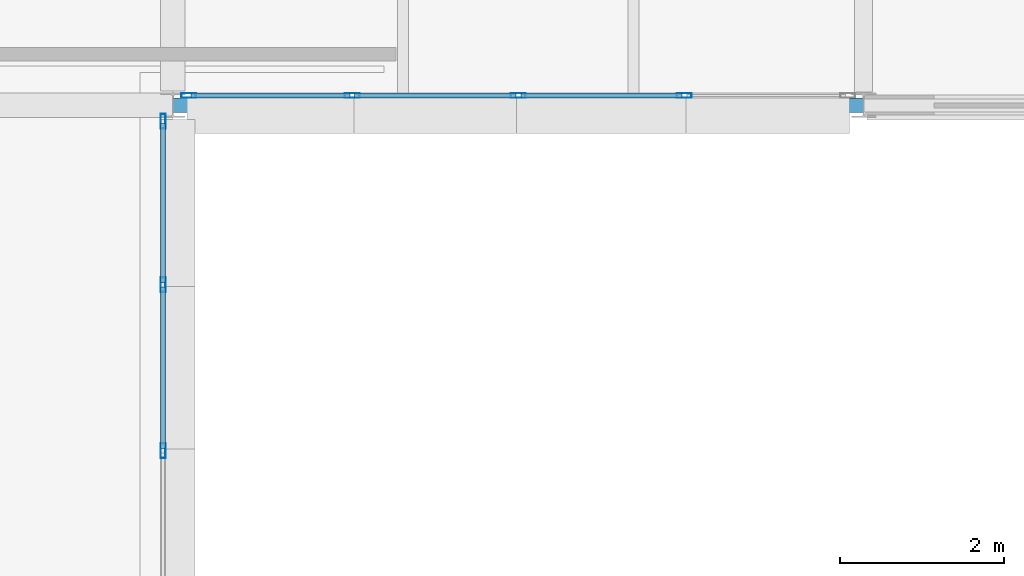
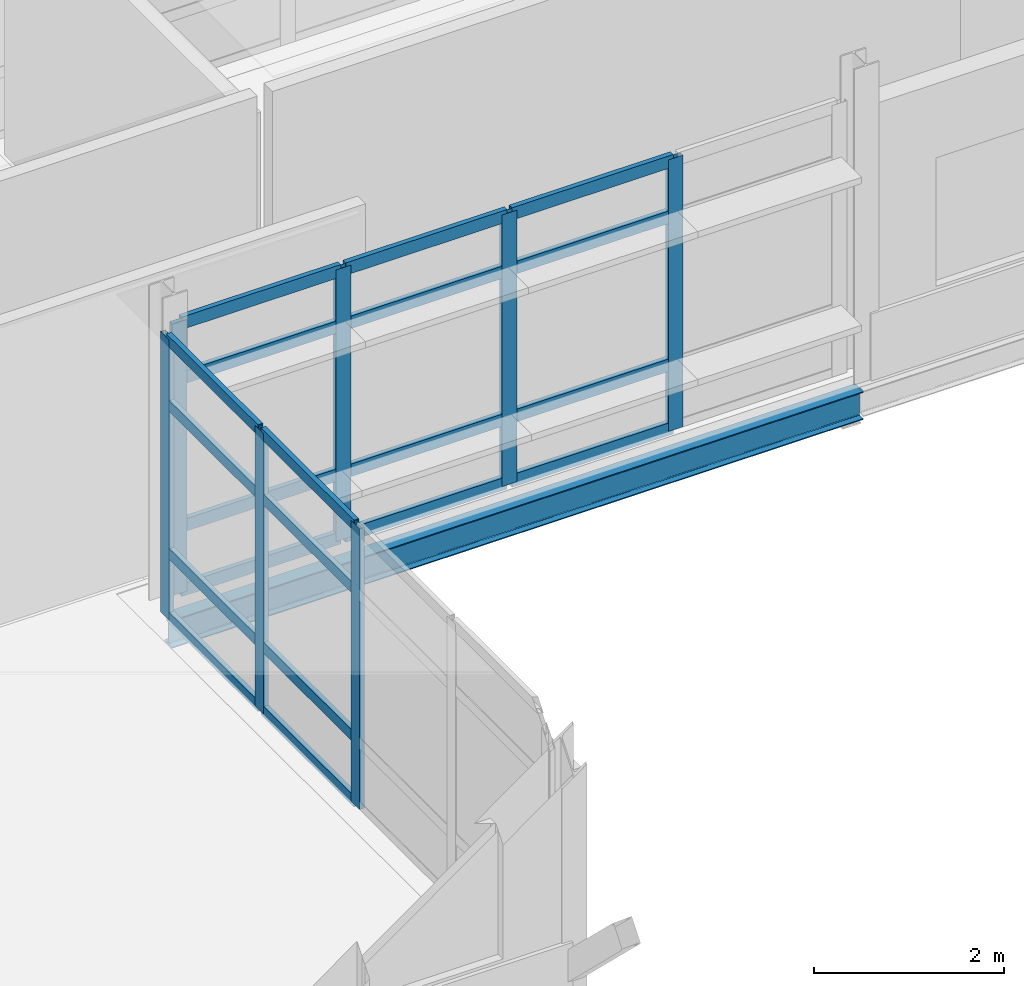
# One storey, part 15 of 57: 27 members, 1 beam, 2 elements without a shape of their own.
"""IFC4 building model written with IfcOpenShell, lengths in metres."""

import ifcopenshell
import ifcopenshell.guid

model = None  # the IFC model being written
_history = None  # IfcOwnerHistory: only IFC2X3 demands one
_inside = {}  # id of a spatial element -> (the spatial element, [elements in it])
_under = {}  # id of a project, library or spatial element -> (it, [spatial elements below it])
_declared = {}  # id of a project -> (the project, [libraries it declares])
_typed = {}  # id of a type object -> (the type object, [elements of that type])
_made_of = {}  # id of a material, layer set ... -> (it, [elements and type objects made of it])


def new_model(schema):
    """Start an empty IFC model of exactly this schema.

    Asked for "IFC4X3", IfcOpenShell would pick the latest addendum, in which some entities
    have other attributes; the version numbers below select the first issue.
    IFC2X3 requires an IfcOwnerHistory on every rooted entity: one is made here for all.
    """
    global model, _history
    if schema == "IFC4X3":
        model = ifcopenshell.file(schema_version=(4, 3, 0, 0))
    else:
        model = ifcopenshell.file(schema=schema)
    _inside.clear()
    _under.clear()
    _declared.clear()
    _typed.clear()
    _made_of.clear()
    _history = None
    if model.schema == "IFC2X3":
        org = make("IfcOrganization", Name="unknown")
        user = make(
            "IfcPersonAndOrganization",
            ThePerson=make("IfcPerson", FamilyName="unknown"),
            TheOrganization=org,
        )
        app = make(
            "IfcApplication",
            ApplicationDeveloper=org,
            Version="unknown",
            ApplicationFullName="unknown",
            ApplicationIdentifier="unknown",
        )
        _history = make(
            "IfcOwnerHistory",
            OwningUser=user,
            OwningApplication=app,
            ChangeAction="ADDED",
            CreationDate=0,
        )
    return model


def make(cls, **values):
    """One entity of the class cls with the attributes given. An attribute that is None is left unset."""
    return model.create_entity(
        cls, **{name: value for name, value in values.items() if value is not None}
    )


def rooted(cls, **values):
    """An entity with a GlobalId (a new one), such as an element, a storey or a relation."""
    return make(cls, GlobalId=ifcopenshell.guid.new(), OwnerHistory=_history, **values)


def si_unit(unit_type, name, prefix=None):
    """IfcSIUnit, for example si_unit("LENGTHUNIT", "METRE", prefix="MILLI")."""
    return make("IfcSIUnit", UnitType=unit_type, Prefix=prefix, Name=name)


def assignment(units):
    """IfcUnitAssignment: the units of a project."""
    return None if units is None else make("IfcUnitAssignment", Units=units)


def point(xyz):
    """IfcCartesianPoint."""
    return None if xyz is None else make("IfcCartesianPoint", Coordinates=xyz)


def direction(xyz):
    """IfcDirection."""
    return None if xyz is None else make("IfcDirection", DirectionRatios=xyz)


def frame(location, z_axis=None, x_axis=None):
    """IfcAxis2Placement3D, a coordinate frame: its origin and axes. An axis left out is left unset."""
    return make(
        "IfcAxis2Placement3D",
        Location=point(location),
        Axis=direction(z_axis),
        RefDirection=direction(x_axis),
    )


def frame_2d(location, x_axis=None):
    """IfcAxis2Placement2D, a coordinate frame in the plane: its origin and x axis."""
    return make(
        "IfcAxis2Placement2D", Location=point(location), RefDirection=direction(x_axis)
    )


def origin():
    """The frame at (0, 0, 0) with its axes left unset."""
    return frame((0.0, 0.0, 0.0))


def origin_2d():
    """The frame at (0, 0) in the plane with its x axis left unset."""
    return frame_2d((0.0, 0.0))


def place(relative_to, where):
    """IfcLocalPlacement: puts the frame where relative to a parent placement (None: the world)."""
    return make(
        "IfcLocalPlacement", PlacementRelTo=relative_to, RelativePlacement=where
    )


def context(
    kind, dimensions, precision=None, world=None, true_north=None, identifier=None
):
    """IfcGeometricRepresentationContext, for example the 3D "Model" context."""
    return make(
        "IfcGeometricRepresentationContext",
        ContextIdentifier=identifier,
        ContextType=kind,
        CoordinateSpaceDimension=dimensions,
        Precision=precision,
        WorldCoordinateSystem=world,
        TrueNorth=true_north,
    )


def subcontext(parent, identifier, kind, view, scale=None):
    """IfcGeometricRepresentationSubContext, for example "Body" below "Model"."""
    return make(
        "IfcGeometricRepresentationSubContext",
        ContextIdentifier=identifier,
        ContextType=kind,
        ParentContext=parent,
        TargetScale=scale,
        TargetView=view,
    )


def project(units=None, contexts=None):
    """IfcProject with its units and contexts."""
    return rooted(
        "IfcProject",
        Name="project",
        RepresentationContexts=contexts,
        UnitsInContext=assignment(units),
    )


def spatial(cls, under=None, at=None, **own):
    """A site, building, storey or space (cls), placed at a placement, below another one or the project."""
    s = rooted(cls, ObjectPlacement=at, **own)
    if under is not None:
        _under.setdefault(under.id(), (under, []))[1].append(s)
    return s


def profile(cls, at=None, kind="AREA", **sizes):
    """A parametric profile (cls). Its sizes go by their IFC names, for example OverallWidth=200.0."""
    return make(cls, ProfileType=kind, Position=at, **sizes)


def hollow_rectangle(**sizes):
    """IfcRectangleHollowProfileDef."""
    return profile("IfcRectangleHollowProfileDef", **sizes)


def i_section(**sizes):
    """IfcIShapeProfileDef."""
    return profile("IfcIShapeProfileDef", **sizes)


def extrude(swept, where, along, depth):
    """IfcExtrudedAreaSolid: the profile swept, set in the frame where, extruded along a direction by depth."""
    return make(
        "IfcExtrudedAreaSolid",
        SweptArea=swept,
        Position=where,
        ExtrudedDirection=direction(along),
        Depth=depth,
    )


def shape(context_of_items, identifier, shape_type, items):
    """IfcShapeRepresentation: the items that make up one representation, for example the "Body"."""
    return make(
        "IfcShapeRepresentation",
        ContextOfItems=context_of_items,
        RepresentationIdentifier=identifier,
        RepresentationType=shape_type,
        Items=items,
    )


def material(Name=None, Category=None):
    """IfcMaterial."""
    return make("IfcMaterial", Name=Name, Category=Category)


def material_profile(
    of_material, cross_section, Name=None, Category=None, Priority=None
):
    """IfcMaterialProfile: a cross section and its material."""
    return make(
        "IfcMaterialProfile",
        Name=Name,
        Material=of_material,
        Profile=cross_section,
        Priority=Priority,
        Category=Category,
    )


def profile_set(profiles, Name=None, composite=None):
    """IfcMaterialProfileSet."""
    return make(
        "IfcMaterialProfileSet",
        Name=Name,
        MaterialProfiles=profiles,
        CompositeProfile=composite,
    )


def made_of(thing, what):
    """Note that an element or type object is made of a material, layer set ...; save() writes the relation."""
    if what is not None:
        _made_of.setdefault(what.id(), (what, []))[1].append(thing)
    return thing


def type_object(cls, material=None, **own):
    """A type object (cls), such as IfcWallType, which elements share."""
    return made_of(rooted(cls, **own), material)


def element(
    cls,
    number,
    at=None,
    inside=None,
    cuts=None,
    type_object=None,
    material=None,
    context=None,
    identifier="Body",
    shape_type=None,
    held_by="IfcProductDefinitionShape",
    body=None,
    shapes=None,
    **own,
):
    """One element of the class cls, such as IfcWall. Its Tag is "e" and its number.

    at: its placement. inside: the storey or other place that contains it. cuts: it is an
    opening in that element (IfcRelVoidsElement). A single representation is given by context,
    identifier, shape_type and body (its items); several are given by shapes. held_by: the class
    of the entity that holds the representations. save() writes the other relations.
    """
    e = rooted(cls, Tag="e%d" % number, ObjectPlacement=at, **own)
    if body is not None:
        shapes = [shape(context, identifier, shape_type, body)]
    if shapes is not None:
        e.Representation = make(held_by, Representations=shapes)
    if inside is not None:
        _inside.setdefault(inside.id(), (inside, []))[1].append(e)
    if cuts is not None:
        rooted(
            "IfcRelVoidsElement", RelatingBuildingElement=cuts, RelatedOpeningElement=e
        )
    if type_object is not None:
        _typed.setdefault(type_object.id(), (type_object, []))[1].append(e)
    return made_of(e, material)


def aggregate(whole, parts):
    """IfcRelAggregates: a whole, such as a stair, and the parts it consists of."""
    return rooted("IfcRelAggregates", RelatingObject=whole, RelatedObjects=parts)


def save(model, path):
    """Write the relations noted so far, then the file.

    IfcRelAggregates (storeys below a building ...), IfcRelContainedInSpatialStructure (elements
    in a storey), IfcRelDefinesByType, IfcRelAssociatesMaterial and IfcRelDeclares: one each for
    every whole, place, type object, material and project.
    """
    for whole, parts in _under.values():
        aggregate(whole, parts)
    for where, things in _inside.values():
        rooted(
            "IfcRelContainedInSpatialStructure",
            RelatedElements=things,
            RelatingStructure=where,
        )
    for kind, things in _typed.values():
        rooted("IfcRelDefinesByType", RelatedObjects=things, RelatingType=kind)
    for what, things in _made_of.values():
        rooted("IfcRelAssociatesMaterial", RelatedObjects=things, RelatingMaterial=what)
    for by, libraries in _declared.values():
        rooted("IfcRelDeclares", RelatingContext=by, RelatedDefinitions=libraries)
    model.write(path)


model = new_model("IFC4")

# Units and contexts
model_context = context("Model", 3, precision=1e-05, world=origin(), true_north=direction((0.0, 1.0)))
body_context = subcontext(model_context, "Body", "Model", "MODEL_VIEW")
ifc_project = project(units=[si_unit("LENGTHUNIT", "METRE"), si_unit("AREAUNIT", "SQUARE_METRE"), si_unit("VOLUMEUNIT", "CUBIC_METRE"), si_unit("PLANEANGLEUNIT", "RADIAN"), si_unit("MASSUNIT", "GRAM", prefix="KILO")], contexts=[model_context])

# Site, building, storey
site_placement = place(None, origin())
site = spatial("IfcSite", under=ifc_project, at=site_placement, CompositionType="ELEMENT")
building_placement = place(site_placement, origin())
building = spatial("IfcBuilding", under=site, at=building_placement, Name="Mersafa Astral City Hall", CompositionType="ELEMENT")
storey_placement = place(building_placement, frame((0.0, 0.0, 26.10009765625)))
storey = spatial("IfcBuildingStorey", under=building, at=storey_placement, Name="L06", CompositionType="ELEMENT", Elevation=26.10009765625)

# Curtain wall, members
ifc_material_1 = material(Name="Anodised bronze aluminium framing", Category="aluminium")
curtain_wall_type_1 = type_object("IfcCurtainWallType", Name="ENV-CW-6", PredefinedType="USERDEFINED", material=ifc_material_1)
curtain_wall_1_placement = place(storey_placement, origin())
curtain_wall_1 = element("IfcCurtainWall", 1, at=curtain_wall_1_placement, inside=storey, type_object=curtain_wall_type_1, Name="L06 Unitised solar curtain wall 263", ObjectType="UNITISED CURTAIN WALL", PredefinedType="USERDEFINED")
ifc_material_profile_1 = material_profile(ifc_material_1, hollow_rectangle(XDim=0.06005859375, YDim=0.179931640625, WallThickness=0.00390625, at=origin_2d()), Name="RHS 60x180x4")
ifc_profile_set_1 = profile_set([ifc_material_profile_1], Name="Anodised bronze aluminium framing")
member_type_1 = type_object("IfcMemberType", Name="ENV-CW-MUL-1", PredefinedType="MULLION", material=ifc_profile_set_1)
member_1_placement = place(storey_placement, frame((67.080078125, 113.39990234375, -0.002197265625), z_axis=(0.0, 0.0, 1.0), x_axis=(-1.0, 0.0, 0.0)))
member_1 = element("IfcMember", 2, at=member_1_placement, type_object=member_type_1, Name="CW-6 mullion 3", PredefinedType="MULLION", context=body_context, shape_type="SweptSolid", body=[
    extrude(hollow_rectangle(XDim=0.06005859375, YDim=0.179931640625, WallThickness=0.00390625, at=origin_2d()), origin(), (0.0, 0.0, 1.0), 3.60400390625),
])
member_2_placement = place(storey_placement, frame((67.080078125, 115.4189453125, -0.002197265625), z_axis=(0.0, 0.0, 1.0), x_axis=(-1.0, 0.0, 0.0)))
member_2 = element("IfcMember", 3, at=member_2_placement, type_object=member_type_1, Name="CW-6 mullion 4", PredefinedType="MULLION", context=body_context, shape_type="SweptSolid", body=[
    extrude(hollow_rectangle(XDim=0.06005859375, YDim=0.179931640625, WallThickness=0.00390625, at=origin_2d()), origin(), (0.0, 0.0, 1.0), 3.60400390625),
])
member_3_placement = place(storey_placement, frame((67.080078125, 117.407958984375, -0.002197265625), z_axis=(0.0, 0.0, 1.0), x_axis=(-1.0, 0.0, 0.0)))
member_3 = element("IfcMember", 4, at=member_3_placement, type_object=member_type_1, Name="CW-6 mullion 5", PredefinedType="MULLION", context=body_context, shape_type="SweptSolid", body=[
    extrude(hollow_rectangle(XDim=0.06005859375, YDim=0.179931640625, WallThickness=0.00390625, at=origin_2d()), origin(), (0.0, 0.0, 1.0), 3.60400390625),
])

curtain_wall_type_2 = type_object("IfcCurtainWallType", Name="ENV-CW-1", PredefinedType="USERDEFINED", material=ifc_material_1)
curtain_wall_2_placement = place(storey_placement, origin())
curtain_wall_2 = element("IfcCurtainWall", 5, at=curtain_wall_2_placement, inside=storey, type_object=curtain_wall_type_2, Name="L06 Unitised solar curtain wall 264", ObjectType="UNITISED CURTAIN WALL", PredefinedType="USERDEFINED")
member_4_placement = place(storey_placement, frame((67.39208984375, 117.719970703125, -0.002197265625), z_axis=(0.0, 0.0, 1.0), x_axis=(0.0, 1.0, 0.0)))
member_4 = element("IfcMember", 6, at=member_4_placement, type_object=member_type_1, Name="CW-1 mullion 1", PredefinedType="MULLION", context=body_context, shape_type="SweptSolid", body=[
    extrude(hollow_rectangle(XDim=0.06005859375, YDim=0.179931640625, WallThickness=0.00390625, at=origin_2d()), origin(), (0.0, 0.0, 1.0), 3.489013671875),
])
member_5_placement = place(storey_placement, frame((69.381103515625, 117.719970703125, -0.002197265625), z_axis=(0.0, 0.0, 1.0), x_axis=(0.0, 1.0, 0.0)))
member_5 = element("IfcMember", 7, at=member_5_placement, type_object=member_type_1, Name="CW-1 mullion 2", PredefinedType="MULLION", context=body_context, shape_type="SweptSolid", body=[
    extrude(hollow_rectangle(XDim=0.06005859375, YDim=0.179931640625, WallThickness=0.00390625, at=origin_2d()), origin(), (0.0, 0.0, 1.0), 3.489013671875),
])
member_6_placement = place(storey_placement, frame((71.39990234375, 117.719970703125, -0.002197265625), z_axis=(0.0, 0.0, 1.0), x_axis=(0.0, 1.0, 0.0)))
member_6 = element("IfcMember", 8, at=member_6_placement, type_object=member_type_1, Name="CW-1 mullion 3", PredefinedType="MULLION", context=body_context, shape_type="SweptSolid", body=[
    extrude(hollow_rectangle(XDim=0.06005859375, YDim=0.179931640625, WallThickness=0.00390625, at=origin_2d()), origin(), (0.0, 0.0, 1.0), 3.489013671875),
])
member_7_placement = place(storey_placement, frame((73.4189453125, 117.719970703125, -0.002197265625), z_axis=(0.0, 0.0, 1.0), x_axis=(0.0, 1.0, 0.0)))
member_7 = element("IfcMember", 9, at=member_7_placement, type_object=member_type_1, Name="CW-1 mullion 4", PredefinedType="MULLION", context=body_context, shape_type="SweptSolid", body=[
    extrude(hollow_rectangle(XDim=0.06005859375, YDim=0.179931640625, WallThickness=0.00390625, at=origin_2d()), origin(), (0.0, 0.0, 1.0), 3.489013671875),
])

# Member
ifc_material_profile_2 = material_profile(ifc_material_1, hollow_rectangle(XDim=0.06005859375, YDim=0.139892578125, WallThickness=0.00390625, at=origin_2d()), Name="RHS 60x140x4")
ifc_profile_set_2 = profile_set([ifc_material_profile_2], Name="Anodised bronze aluminium framing")
member_type_2 = type_object("IfcMemberType", Name="ENV-CW-TRN-1", PredefinedType="USERDEFINED", material=ifc_profile_set_2)
member_8_placement = place(storey_placement, frame((67.080078125, 113.429931640625, 0.02783203125), z_axis=(0.0, 1.0, 0.0), x_axis=(-1.0, 0.0, 0.0)))
member_8 = element("IfcMember", 10, at=member_8_placement, type_object=member_type_2, Name="CW-6 transom 3.1", ObjectType="TRANSOM", PredefinedType="USERDEFINED", context=body_context, shape_type="SweptSolid", body=[
    extrude(hollow_rectangle(XDim=0.06005859375, YDim=0.139892578125, WallThickness=0.00390625, at=origin_2d()), origin(), (0.0, 0.0, 1.0), 1.958984375),
])

member_9_placement = place(storey_placement, frame((67.080078125, 113.429931640625, 0.849853515625), z_axis=(0.0, 1.0, 0.0), x_axis=(-1.0, 0.0, 0.0)))
member_9 = element("IfcMember", 11, at=member_9_placement, type_object=member_type_2, Name="CW-6 transom 3.2", ObjectType="TRANSOM", PredefinedType="USERDEFINED", context=body_context, shape_type="SweptSolid", body=[
    extrude(hollow_rectangle(XDim=0.06005859375, YDim=0.139892578125, WallThickness=0.00390625, at=origin_2d()), origin(), (0.0, 0.0, 1.0), 1.958984375),
])

member_10_placement = place(storey_placement, frame((67.080078125, 113.429931640625, 2.75), z_axis=(0.0, 1.0, 0.0), x_axis=(-1.0, 0.0, 0.0)))
member_10 = element("IfcMember", 12, at=member_10_placement, type_object=member_type_2, Name="CW-6 transom 3.3", ObjectType="TRANSOM", PredefinedType="USERDEFINED", context=body_context, shape_type="SweptSolid", body=[
    extrude(hollow_rectangle(XDim=0.06005859375, YDim=0.139892578125, WallThickness=0.00390625, at=origin_2d()), origin(), (0.0, 0.0, 1.0), 1.958984375),
])

member_11_placement = place(storey_placement, frame((67.080078125, 113.429931640625, 3.572021484375), z_axis=(0.0, 1.0, 0.0), x_axis=(-1.0, 0.0, 0.0)))
member_11 = element("IfcMember", 13, at=member_11_placement, type_object=member_type_2, Name="CW-6 transom 3.4", ObjectType="TRANSOM", PredefinedType="USERDEFINED", context=body_context, shape_type="SweptSolid", body=[
    extrude(hollow_rectangle(XDim=0.06005859375, YDim=0.139892578125, WallThickness=0.00390625, at=origin_2d()), origin(), (0.0, 0.0, 1.0), 1.958984375),
])

member_12_placement = place(storey_placement, frame((67.080078125, 115.448974609375, 0.02783203125), z_axis=(0.0, 1.0, 0.0), x_axis=(-1.0, 0.0, 0.0)))
member_12 = element("IfcMember", 14, at=member_12_placement, type_object=member_type_2, Name="CW-6 transom 4.1", ObjectType="TRANSOM", PredefinedType="USERDEFINED", context=body_context, shape_type="SweptSolid", body=[
    extrude(hollow_rectangle(XDim=0.06005859375, YDim=0.139892578125, WallThickness=0.00390625, at=origin_2d()), origin(), (0.0, 0.0, 1.0), 1.928955078125),
])

member_13_placement = place(storey_placement, frame((67.080078125, 115.448974609375, 0.849853515625), z_axis=(0.0, 1.0, 0.0), x_axis=(-1.0, 0.0, 0.0)))
member_13 = element("IfcMember", 15, at=member_13_placement, type_object=member_type_2, Name="CW-6 transom 4.2", ObjectType="TRANSOM", PredefinedType="USERDEFINED", context=body_context, shape_type="SweptSolid", body=[
    extrude(hollow_rectangle(XDim=0.06005859375, YDim=0.139892578125, WallThickness=0.00390625, at=origin_2d()), origin(), (0.0, 0.0, 1.0), 1.928955078125),
])

member_14_placement = place(storey_placement, frame((67.080078125, 115.448974609375, 2.75), z_axis=(0.0, 1.0, 0.0), x_axis=(-1.0, 0.0, 0.0)))
member_14 = element("IfcMember", 16, at=member_14_placement, type_object=member_type_2, Name="CW-6 transom 4.3", ObjectType="TRANSOM", PredefinedType="USERDEFINED", context=body_context, shape_type="SweptSolid", body=[
    extrude(hollow_rectangle(XDim=0.06005859375, YDim=0.139892578125, WallThickness=0.00390625, at=origin_2d()), origin(), (0.0, 0.0, 1.0), 1.928955078125),
])

member_15_placement = place(storey_placement, frame((67.080078125, 115.448974609375, 3.572021484375), z_axis=(0.0, 1.0, 0.0), x_axis=(-1.0, 0.0, 0.0)))
member_15 = element("IfcMember", 17, at=member_15_placement, type_object=member_type_2, Name="CW-6 transom 4.4", ObjectType="TRANSOM", PredefinedType="USERDEFINED", context=body_context, shape_type="SweptSolid", body=[
    extrude(hollow_rectangle(XDim=0.06005859375, YDim=0.139892578125, WallThickness=0.00390625, at=origin_2d()), origin(), (0.0, 0.0, 1.0), 1.928955078125),
])

aggregate(curtain_wall_1, [member_1, member_2, member_3, member_8, member_9, member_10, member_11, member_12, member_13, member_14, member_15])

ifc_material_profile_3 = material_profile(ifc_material_1, hollow_rectangle(XDim=0.06005859375, YDim=0.159912109375, WallThickness=0.00390625, at=origin_2d()), Name="RHS 60x160x4")
ifc_profile_set_3 = profile_set([ifc_material_profile_3], Name="Anodised bronze aluminium framing")
member_type_3 = type_object("IfcMemberType", Name="ENV-CW-TRN-2", PredefinedType="USERDEFINED", material=ifc_profile_set_3)
member_16_placement = place(storey_placement, frame((67.422119140625, 117.719970703125, 0.02783203125), z_axis=(1.0, 0.0, 0.0), x_axis=(0.0, 1.0, 0.0)))
member_16 = element("IfcMember", 18, at=member_16_placement, type_object=member_type_3, Name="CW-1 transom 1.1", ObjectType="TRANSOM", PredefinedType="USERDEFINED", context=body_context, shape_type="SweptSolid", body=[
    extrude(hollow_rectangle(XDim=0.06005859375, YDim=0.159912109375, WallThickness=0.00390625, at=origin_2d()), origin(), (0.0, 0.0, 1.0), 1.928955078125),
])

member_17_placement = place(storey_placement, frame((67.422119140625, 117.719970703125, 0.849853515625), z_axis=(1.0, 0.0, 0.0), x_axis=(0.0, 1.0, 0.0)))
member_17 = element("IfcMember", 19, at=member_17_placement, type_object=member_type_3, Name="CW-1 transom 1.2", ObjectType="TRANSOM", PredefinedType="USERDEFINED", context=body_context, shape_type="SweptSolid", body=[
    extrude(hollow_rectangle(XDim=0.06005859375, YDim=0.159912109375, WallThickness=0.00390625, at=origin_2d()), origin(), (0.0, 0.0, 1.0), 1.928955078125),
])

member_18_placement = place(storey_placement, frame((67.422119140625, 117.719970703125, 2.75), z_axis=(1.0, 0.0, 0.0), x_axis=(0.0, 1.0, 0.0)))
member_18 = element("IfcMember", 20, at=member_18_placement, type_object=member_type_3, Name="CW-1 transom 1.3", ObjectType="TRANSOM", PredefinedType="USERDEFINED", context=body_context, shape_type="SweptSolid", body=[
    extrude(hollow_rectangle(XDim=0.06005859375, YDim=0.159912109375, WallThickness=0.00390625, at=origin_2d()), origin(), (0.0, 0.0, 1.0), 1.928955078125),
])

member_19_placement = place(storey_placement, frame((67.422119140625, 117.719970703125, 3.456787109375), z_axis=(1.0, 0.0, 0.0), x_axis=(0.0, 1.0, 0.0)))
member_19 = element("IfcMember", 21, at=member_19_placement, type_object=member_type_3, Name="CW-1 transom 1.4", ObjectType="TRANSOM", PredefinedType="USERDEFINED", context=body_context, shape_type="SweptSolid", body=[
    extrude(hollow_rectangle(XDim=0.06005859375, YDim=0.159912109375, WallThickness=0.00390625, at=origin_2d()), origin(), (0.0, 0.0, 1.0), 1.928955078125),
])

member_20_placement = place(storey_placement, frame((69.410888671875, 117.719970703125, 0.02783203125), z_axis=(1.0, 0.0, 0.0), x_axis=(0.0, 1.0, 0.0)))
member_20 = element("IfcMember", 22, at=member_20_placement, type_object=member_type_3, Name="CW-1 transom 2.1", ObjectType="TRANSOM", PredefinedType="USERDEFINED", context=body_context, shape_type="SweptSolid", body=[
    extrude(hollow_rectangle(XDim=0.06005859375, YDim=0.159912109375, WallThickness=0.00390625, at=origin_2d()), origin(), (0.0, 0.0, 1.0), 1.959228515625),
])

member_21_placement = place(storey_placement, frame((69.410888671875, 117.719970703125, 0.849853515625), z_axis=(1.0, 0.0, 0.0), x_axis=(0.0, 1.0, 0.0)))
member_21 = element("IfcMember", 23, at=member_21_placement, type_object=member_type_3, Name="CW-1 transom 2.2", ObjectType="TRANSOM", PredefinedType="USERDEFINED", context=body_context, shape_type="SweptSolid", body=[
    extrude(hollow_rectangle(XDim=0.06005859375, YDim=0.159912109375, WallThickness=0.00390625, at=origin_2d()), origin(), (0.0, 0.0, 1.0), 1.959228515625),
])

member_22_placement = place(storey_placement, frame((69.410888671875, 117.719970703125, 2.75), z_axis=(1.0, 0.0, 0.0), x_axis=(0.0, 1.0, 0.0)))
member_22 = element("IfcMember", 24, at=member_22_placement, type_object=member_type_3, Name="CW-1 transom 2.3", ObjectType="TRANSOM", PredefinedType="USERDEFINED", context=body_context, shape_type="SweptSolid", body=[
    extrude(hollow_rectangle(XDim=0.06005859375, YDim=0.159912109375, WallThickness=0.00390625, at=origin_2d()), origin(), (0.0, 0.0, 1.0), 1.959228515625),
])

member_23_placement = place(storey_placement, frame((69.410888671875, 117.719970703125, 3.456787109375), z_axis=(1.0, 0.0, 0.0), x_axis=(0.0, 1.0, 0.0)))
member_23 = element("IfcMember", 25, at=member_23_placement, type_object=member_type_3, Name="CW-1 transom 2.4", ObjectType="TRANSOM", PredefinedType="USERDEFINED", context=body_context, shape_type="SweptSolid", body=[
    extrude(hollow_rectangle(XDim=0.06005859375, YDim=0.159912109375, WallThickness=0.00390625, at=origin_2d()), origin(), (0.0, 0.0, 1.0), 1.959228515625),
])

member_24_placement = place(storey_placement, frame((71.429931640625, 117.719970703125, 0.02783203125), z_axis=(1.0, 0.0, 0.0), x_axis=(0.0, 1.0, 0.0)))
member_24 = element("IfcMember", 26, at=member_24_placement, type_object=member_type_3, Name="CW-1 transom 3.1", ObjectType="TRANSOM", PredefinedType="USERDEFINED", context=body_context, shape_type="SweptSolid", body=[
    extrude(hollow_rectangle(XDim=0.06005859375, YDim=0.159912109375, WallThickness=0.00390625, at=origin_2d()), origin(), (0.0, 0.0, 1.0), 1.958984375),
])

member_25_placement = place(storey_placement, frame((71.429931640625, 117.719970703125, 0.849853515625), z_axis=(1.0, 0.0, 0.0), x_axis=(0.0, 1.0, 0.0)))
member_25 = element("IfcMember", 27, at=member_25_placement, type_object=member_type_3, Name="CW-1 transom 3.2", ObjectType="TRANSOM", PredefinedType="USERDEFINED", context=body_context, shape_type="SweptSolid", body=[
    extrude(hollow_rectangle(XDim=0.06005859375, YDim=0.159912109375, WallThickness=0.00390625, at=origin_2d()), origin(), (0.0, 0.0, 1.0), 1.958984375),
])

member_26_placement = place(storey_placement, frame((71.429931640625, 117.719970703125, 2.75), z_axis=(1.0, 0.0, 0.0), x_axis=(0.0, 1.0, 0.0)))
member_26 = element("IfcMember", 28, at=member_26_placement, type_object=member_type_3, Name="CW-1 transom 3.3", ObjectType="TRANSOM", PredefinedType="USERDEFINED", context=body_context, shape_type="SweptSolid", body=[
    extrude(hollow_rectangle(XDim=0.06005859375, YDim=0.159912109375, WallThickness=0.00390625, at=origin_2d()), origin(), (0.0, 0.0, 1.0), 1.958984375),
])

member_27_placement = place(storey_placement, frame((71.429931640625, 117.719970703125, 3.456787109375), z_axis=(1.0, 0.0, 0.0), x_axis=(0.0, 1.0, 0.0)))
member_27 = element("IfcMember", 29, at=member_27_placement, type_object=member_type_3, Name="CW-1 transom 3.4", ObjectType="TRANSOM", PredefinedType="USERDEFINED", context=body_context, shape_type="SweptSolid", body=[
    extrude(hollow_rectangle(XDim=0.06005859375, YDim=0.159912109375, WallThickness=0.00390625, at=origin_2d()), origin(), (0.0, 0.0, 1.0), 1.958984375),
])

aggregate(curtain_wall_2, [member_4, member_5, member_6, member_7, member_16, member_17, member_18, member_19, member_20, member_21, member_22, member_23, member_24, member_25, member_26, member_27])

# Beam
ifc_material_2 = material(Name="Steel S355", Category="steel")
ifc_material_profile_4 = material_profile(ifc_material_2, i_section(OverallWidth=0.169921875, OverallDepth=0.360107421875, WebThickness=0.008056640625, FlangeThickness=0.0126953125, FilletRadius=0.01806640625, at=origin_2d()), Name="IPE 360")
ifc_profile_set_4 = profile_set([ifc_material_profile_4], Name="Steel S355")
beam_type = type_object("IfcBeamType", Name="STR-BM-SPANDREL-IPE360", PredefinedType="SPANDREL", material=ifc_profile_set_4)
beam_placement = place(storey_placement, frame((67.202880859375, 117.60009765625, -0.35498046875), z_axis=(1.0, 0.0, 0.0), x_axis=(0.0, 1.0, 0.0)))
element("IfcBeam", 30, at=beam_placement, inside=storey, type_object=beam_type, Name="L06 Primary girder X 8-14", PredefinedType="SPANDREL", context=body_context, shape_type="SweptSolid", body=[
    extrude(i_section(OverallWidth=0.169921875, OverallDepth=0.360107421875, WebThickness=0.008056640625, FlangeThickness=0.0126953125, FilletRadius=0.01806640625, at=origin_2d()), origin(), (0.0, 0.0, 1.0), 8.39404296875),
])

save(model, "model.ifc")
